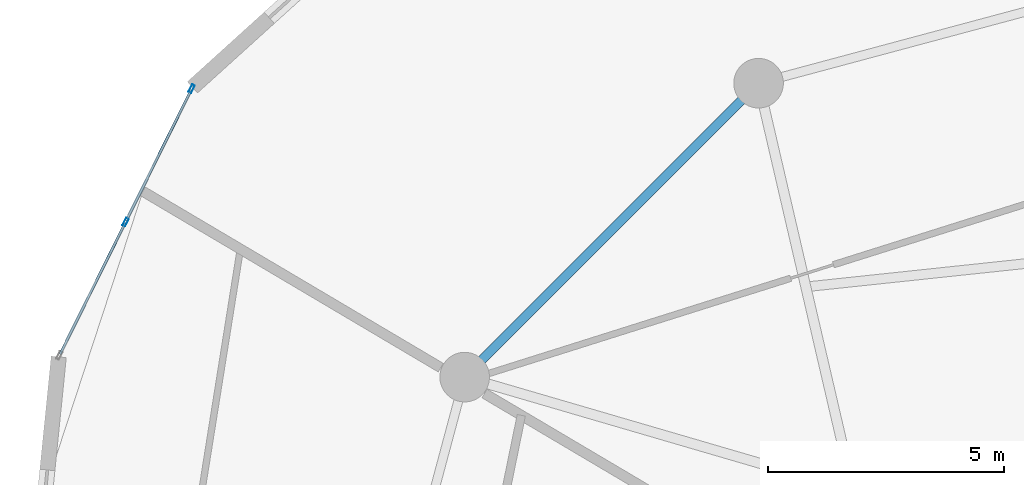
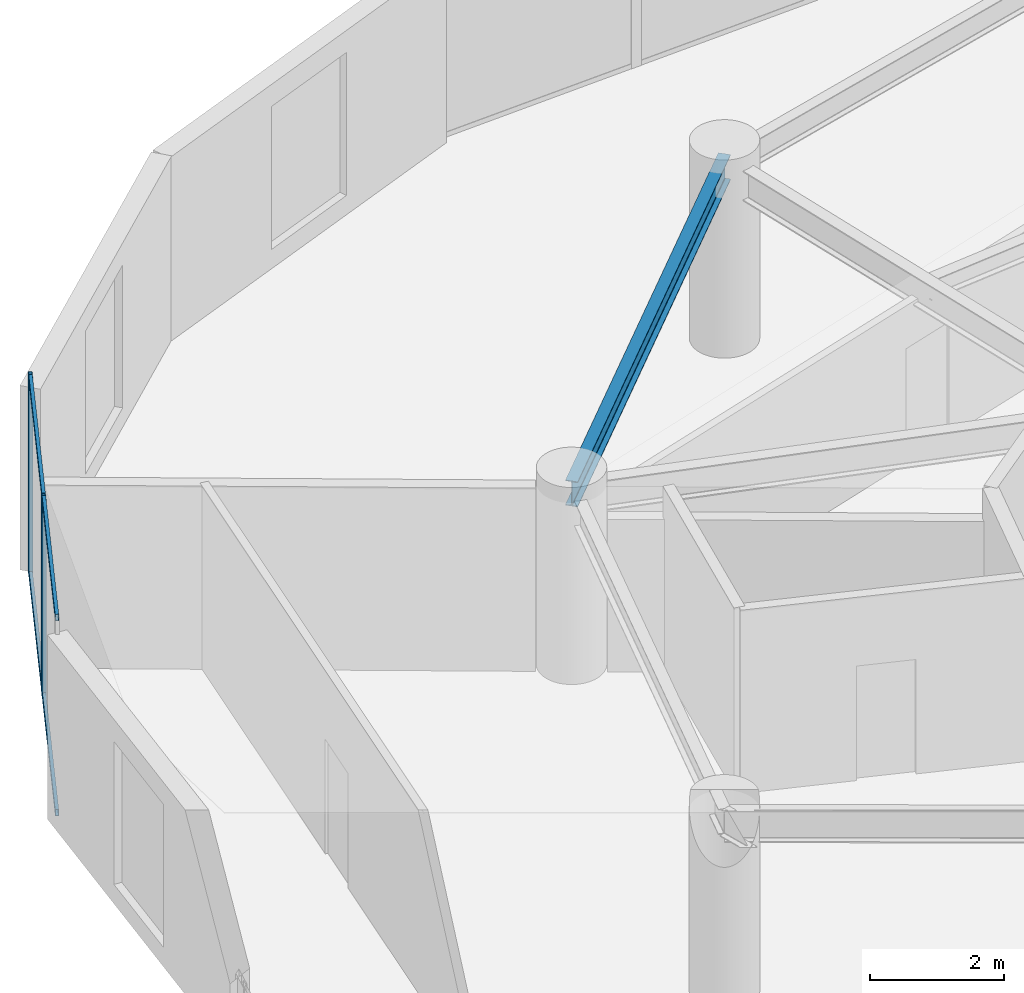
# One storey, part 15 of 25: 6 members, 1 beam, 1 element without a shape of its own.
"""IFC4 building model written with IfcOpenShell, lengths in metres."""

from ifc_helpers import new_model, si_unit, direction, frame, origin, origin_2d, place, context, subcontext, project, spatial, hollow_rectangle, i_section, extrude, source, transform, mapped, material, layer, layer_set, material_profile, profile_set, type_object, element, aggregate, save


model = new_model("IFC4")

# Units and contexts
model_context = context("Model", 3, precision=1e-05, world=origin(), true_north=direction((0.0, 1.0)))
body_context = subcontext(model_context, "Body", "Model", "MODEL_VIEW")
ifc_project = project(units=[si_unit("LENGTHUNIT", "METRE"), si_unit("AREAUNIT", "SQUARE_METRE"), si_unit("VOLUMEUNIT", "CUBIC_METRE"), si_unit("PLANEANGLEUNIT", "RADIAN"), si_unit("MASSUNIT", "GRAM", prefix="KILO")], contexts=[model_context])

# Site, building, storey
site_placement = place(None, origin())
site = spatial("IfcSite", under=ifc_project, at=site_placement, CompositionType="ELEMENT")
building_placement = place(site_placement, origin())
building = spatial("IfcBuilding", under=site, at=building_placement, Name="Solvirekh Grand Hotel", CompositionType="ELEMENT")
storey_placement = place(building_placement, frame((0.0, 0.0, 124.199951171875)))
storey = spatial("IfcBuildingStorey", under=building, at=storey_placement, Name="L31", CompositionType="ELEMENT", Elevation=124.199951171875)

# Beam
ifc_material_1 = material(Name="Steel S355", Category="steel")
ifc_material_profile_1 = material_profile(ifc_material_1, i_section(OverallWidth=0.18994140625, OverallDepth=0.45703125, WebThickness=0.009033203125, FlangeThickness=0.013916015625, FilletRadius=0.012939453125, at=origin_2d()), Name="W460X74")
ifc_profile_set_1 = profile_set([ifc_material_profile_1], Name="Steel S355")
beam_type = type_object("IfcBeamType", Name="Spandrel_Ring_W460", PredefinedType="SPANDREL", material=ifc_profile_set_1)
beam_placement = place(storey_placement, frame((-8.5, 14.721923828125, 3.1220703125), z_axis=(-0.707106781187, -0.707106781187, 0.0), x_axis=(0.707106781187, -0.707106781187, 0.0)))
element("IfcBeam", 1, at=beam_placement, inside=storey, type_object=beam_type, Name="L31 perimeter spandrel beam 5", PredefinedType="SPANDREL", context=body_context, shape_type="SweptSolid", body=[
    extrude(i_section(OverallWidth=0.18994140625, OverallDepth=0.45703125, WebThickness=0.009033203125, FlangeThickness=0.013916015625, FilletRadius=0.012939453125, at=origin_2d()), origin(), (0.0, 0.0, 1.0), 8.799072265625),
])

# Curtain wall, members
ifc_material_2 = material(Name="Anodized Bronze Aluminium 6063-T6", Category="aluminium")
ifc_layer = layer(ifc_material_2, 0.175048828125)
ifc_layer_set = layer_set([ifc_layer], Name="Anodized Bronze Aluminium 6063-T6")
curtain_wall_type = type_object("IfcCurtainWallType", Name="CW_Sys3_MidZoneFlushBronzeCW", PredefinedType="NOTDEFINED", material=ifc_layer_set)
curtain_wall_placement = place(storey_placement, origin())
curtain_wall = element("IfcCurtainWall", 2, at=curtain_wall_placement, inside=storey, type_object=curtain_wall_type, Name="L31 unitised bronze-glass curtain wall CW-L31-C11", PredefinedType="NOTDEFINED")
ifc_material_profile_2 = material_profile(ifc_material_2, hollow_rectangle(XDim=0.054931640625, YDim=0.1201171875, WallThickness=0.00390625, at=origin_2d()), Name="ALU RHS 120X55X4")
ifc_profile_set_2 = profile_set([ifc_material_profile_2], Name="Anodized Bronze Aluminium 6063-T6")
member_type_1 = type_object("IfcMemberType", Name="CWTransom_Sys3", PredefinedType="USERDEFINED", material=ifc_profile_set_2)
shared_shape_1 = source(origin(), body_context, "Body", "SweptSolid", [
    extrude(hollow_rectangle(XDim=0.054931640625, YDim=0.1201171875, WallThickness=0.00390625, at=origin_2d()), origin(), (0.0, 0.0, 1.0), 3.087158203125),
])
member_1_placement = place(storey_placement, frame((-20.514892578125, 14.57666015625, 0.027587890625), z_axis=(-0.444300891124, -0.895877624537, 0.0), x_axis=(0.895877624537, -0.444300891124, 0.0)))
member_1 = element("IfcMember", 3, at=member_1_placement, type_object=member_type_1, Name="U03 transom 1.1", ObjectType="TRANSOM", PredefinedType="USERDEFINED", context=body_context, shape_type="MappedRepresentation", body=[
    mapped(shared_shape_1, transform((0.0, 0.0, 0.0), x_axis=(1.0, 0.0, 0.0), y_axis=(0.0, 1.0, 0.0), z_axis=(0.0, 0.0, 1.0), scale=1.0)),
])
member_2_placement = place(storey_placement, frame((-20.514892578125, 14.57666015625, 3.572509765625), z_axis=(-0.444300891124, -0.895877624537, 0.0), x_axis=(0.895877624537, -0.444300891124, 0.0)))
member_2 = element("IfcMember", 4, at=member_2_placement, type_object=member_type_1, Name="U03 transom 1.2", ObjectType="TRANSOM", PredefinedType="USERDEFINED", context=body_context, shape_type="MappedRepresentation", body=[
    mapped(shared_shape_1, transform((0.0, 0.0, 0.0), x_axis=(1.0, 0.0, 0.0), y_axis=(0.0, 1.0, 0.0), z_axis=(0.0, 0.0, 1.0), scale=1.0)),
])
member_3_placement = place(storey_placement, frame((-21.91552734375, 11.7529296875, 0.027587890625), z_axis=(-0.444300891124, -0.895877624537, 0.0), x_axis=(0.895877624537, -0.444300891124, 0.0)))
member_3 = element("IfcMember", 5, at=member_3_placement, type_object=member_type_1, Name="U03 transom 2.1", ObjectType="TRANSOM", PredefinedType="USERDEFINED", context=body_context, shape_type="MappedRepresentation", body=[
    mapped(shared_shape_1, transform((0.0, 0.0, 0.0), x_axis=(1.0, 0.0, 0.0), y_axis=(0.0, 1.0, 0.0), z_axis=(0.0, 0.0, 1.0), scale=1.0)),
])
member_4_placement = place(storey_placement, frame((-21.91552734375, 11.7529296875, 3.572509765625), z_axis=(-0.444300891124, -0.895877624537, 0.0), x_axis=(0.895877624537, -0.444300891124, 0.0)))
member_4 = element("IfcMember", 6, at=member_4_placement, type_object=member_type_1, Name="U03 transom 2.2", ObjectType="TRANSOM", PredefinedType="USERDEFINED", context=body_context, shape_type="MappedRepresentation", body=[
    mapped(shared_shape_1, transform((0.0, 0.0, 0.0), x_axis=(1.0, 0.0, 0.0), y_axis=(0.0, 1.0, 0.0), z_axis=(0.0, 0.0, 1.0), scale=1.0)),
])
ifc_material_profile_3 = material_profile(ifc_material_2, hollow_rectangle(XDim=0.06494140625, YDim=0.175048828125, WallThickness=0.0048828125, at=origin_2d()), Name="ALU RHS 175X65X5")
ifc_profile_set_3 = profile_set([ifc_material_profile_3], Name="Anodized Bronze Aluminium 6063-T6")
member_type_2 = type_object("IfcMemberType", Name="CWMullion_Sys3", PredefinedType="MULLION", material=ifc_profile_set_3)
shared_shape_2 = source(origin(), body_context, "Body", "SweptSolid", [
    extrude(hollow_rectangle(XDim=0.06494140625, YDim=0.175048828125, WallThickness=0.0048828125, at=origin_2d()), origin(), (0.0, 0.0, 1.0), 3.60009765625),
])
member_5_placement = place(storey_placement, frame((-20.50048828125, 14.60595703125, 0.0), z_axis=(0.0, 0.0, 1.0), x_axis=(0.895866965892, -0.444322382313, 0.0)))
member_5 = element("IfcMember", 7, at=member_5_placement, type_object=member_type_2, Name="U03 mullion 1", PredefinedType="MULLION", context=body_context, shape_type="MappedRepresentation", body=[
    mapped(shared_shape_2, transform((0.0, 0.0, 0.0), x_axis=(1.0, 0.0, 0.0), y_axis=(0.0, 1.0, 0.0), z_axis=(0.0, 0.0, 1.0), scale=1.0)),
])
member_6_placement = place(storey_placement, frame((-21.90087890625, 11.781982421875, 0.0), z_axis=(0.0, 0.0, 1.0), x_axis=(0.895866965892, -0.444322382313, 0.0)))
member_6 = element("IfcMember", 8, at=member_6_placement, type_object=member_type_2, Name="U03 mullion 2", PredefinedType="MULLION", context=body_context, shape_type="MappedRepresentation", body=[
    mapped(shared_shape_2, transform((0.0, 0.0, 0.0), x_axis=(1.0, 0.0, 0.0), y_axis=(0.0, 1.0, 0.0), z_axis=(0.0, 0.0, 1.0), scale=1.0)),
])
aggregate(curtain_wall, [member_5, member_6, member_1, member_2, member_3, member_4])

save(model, "model.ifc")
